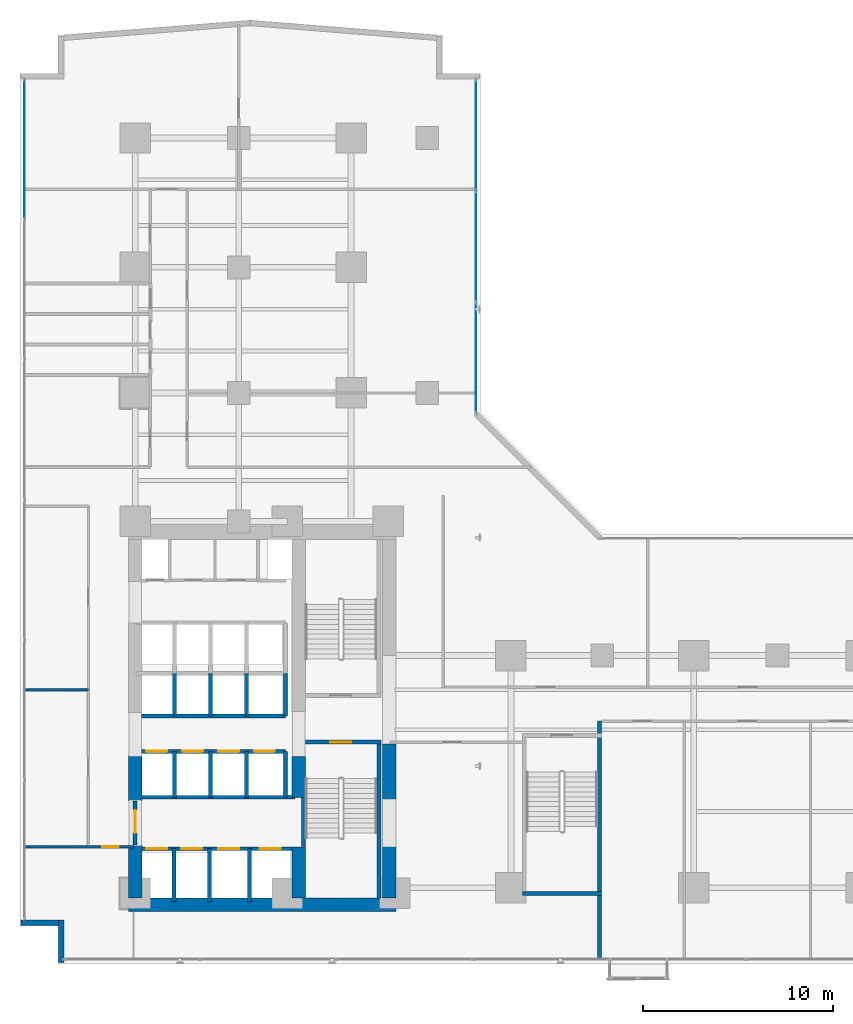
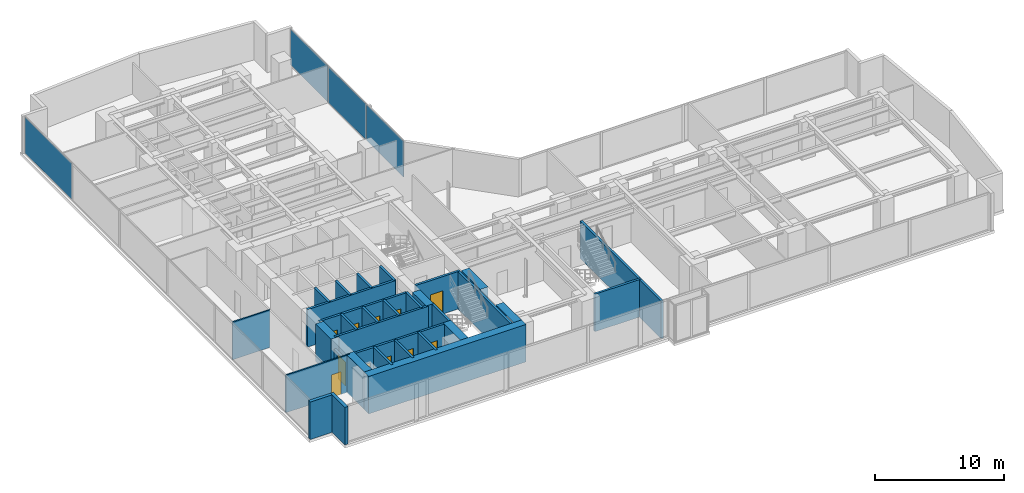
# One storey, part 23 of 31: 32 walls, 11 doors, 4 plates, 11 openings, 2 elements without a shape of their own.
"""IFC4 building model written with IfcOpenShell, lengths in metres."""

from ifc_helpers import new_model, si_unit, direction, frame, frame_2d, origin, origin_with_axes, origin_2d, place, context, subcontext, project, spatial, rectangle, extrude, source, transform, mapped, material, layer, layer_set, type_object, element, fill, aggregate, save


model = new_model("IFC4")

# Units and contexts
model_context = context("Model", 3, precision=1e-05, world=origin(), true_north=direction((0.0, 1.0)))
body_context = subcontext(model_context, "Body", "Model", "MODEL_VIEW")
ifc_project = project(units=[si_unit("LENGTHUNIT", "METRE"), si_unit("AREAUNIT", "SQUARE_METRE"), si_unit("VOLUMEUNIT", "CUBIC_METRE"), si_unit("PLANEANGLEUNIT", "RADIAN"), si_unit("MASSUNIT", "GRAM", prefix="KILO")], contexts=[model_context])

# Site, building, storey
site_placement = place(None, origin())
site = spatial("IfcSite", under=ifc_project, at=site_placement, CompositionType="ELEMENT")
building_placement = place(site_placement, origin())
building = spatial("IfcBuilding", under=site, at=building_placement, Name="Kolvaren Waterfront Exchange", CompositionType="ELEMENT")
storey_placement = place(building_placement, frame((0.0, 0.0, 67.60009765625)))
storey = spatial("IfcBuildingStorey", under=building, at=storey_placement, Name="L17", CompositionType="ELEMENT", Elevation=67.60009765625)

# Curtain wall, plate
ifc_material_1 = material(Name="Anodised aluminium 6063-T6", Category="aluminium")
ifc_layer_1 = layer(ifc_material_1, 0.219970703125, Name="Anodised aluminium 6063-T6")
ifc_layer_set_1 = layer_set([ifc_layer_1], Name="Anodised aluminium 6063-T6")
curtain_wall_type_1 = type_object("IfcCurtainWallType", Name="ARC-CW-SYS2", PredefinedType="USERDEFINED", material=ifc_layer_set_1)
curtain_wall_1_placement = place(storey_placement, origin())
curtain_wall_1 = element("IfcCurtainWall", 1, at=curtain_wall_1_placement, inside=storey, type_object=curtain_wall_type_1, Name="L17 stick curtain wall CW2 (CW-L17-W)", ObjectType="STICK CURTAIN WALL", PredefinedType="USERDEFINED")
ifc_material_2 = material(Name="Acoustic laminated vision glass", Category="glass")
ifc_layer_2 = layer(ifc_material_2, 0.031982421875, Name="Acoustic laminated vision glass")
ifc_layer_set_2 = layer_set([ifc_layer_2], Name="Acoustic laminated vision glass")
plate_type_1 = type_object("IfcPlateType", Name="ARC-CWP-32", PredefinedType="CURTAIN_PANEL", material=ifc_layer_set_2)
shared_shape_1 = source(origin_with_axes(), body_context, "Body", "SweptSolid", [
    extrude(rectangle(XDim=7.24658203125, YDim=0.031982421875, at=origin_2d()), origin(), (0.0, 0.0, 1.0), 3.389892578125),
])
plate_1_placement = place(storey_placement, frame((1.639892578125, 43.99658203125, 0.0751953125), z_axis=(0.0, 0.0, 1.0), x_axis=(0.0, 1.0, 0.0)))
plate_1 = element("IfcPlate", 2, at=plate_1_placement, type_object=plate_type_1, Name="CW2 panel 6.1", PredefinedType="CURTAIN_PANEL", context=body_context, shape_type="MappedRepresentation", body=[
    mapped(shared_shape_1, transform((0.0, 0.0, 0.0), x_axis=(1.0, 0.0, 0.0), y_axis=(0.0, 1.0, 0.0), z_axis=(0.0, 0.0, 1.0), scale=1.0)),
])
aggregate(curtain_wall_1, [plate_1])

# Curtain wall, plates
ifc_material_3 = material(Name="Anodised bronze aluminium 6063-T6", Category="aluminium")
ifc_layer_3 = layer(ifc_material_3, 0.219970703125, Name="Anodised bronze aluminium 6063-T6")
ifc_layer_set_3 = layer_set([ifc_layer_3], Name="Anodised bronze aluminium 6063-T6")
curtain_wall_type_2 = type_object("IfcCurtainWallType", Name="ARC-CW-SYS1", PredefinedType="USERDEFINED", material=ifc_layer_set_3)
curtain_wall_2_placement = place(storey_placement, origin())
curtain_wall_2 = element("IfcCurtainWall", 3, at=curtain_wall_2_placement, inside=storey, type_object=curtain_wall_type_2, Name="L17 stick curtain wall CW1 (CW-L17-NE)", ObjectType="STICK CURTAIN WALL", PredefinedType="USERDEFINED")
ifc_material_4 = material(Name="Bronze solar control vision glass", Category="aluminium")
ifc_layer_4 = layer(ifc_material_4, 0.028076171875, Name="Bronze solar control vision glass")
ifc_layer_set_4 = layer_set([ifc_layer_4], Name="Bronze solar control vision glass")
plate_type_2 = type_object("IfcPlateType", Name="ARC-CWP-28", PredefinedType="CURTAIN_PANEL", material=ifc_layer_set_4)
shared_shape_2 = source(origin_with_axes(), body_context, "Body", "SweptSolid", [
    extrude(rectangle(XDim=5.75, YDim=0.028076171875, at=origin_2d()), origin(), (0.0, 0.0, 1.0), 3.389892578125),
])
plate_2_placement = place(storey_placement, frame((25.360107421875, 33.044921875, 0.0751953125), z_axis=(0.0, 0.0, 1.0), x_axis=(0.0, 1.0, 0.0)))
plate_2 = element("IfcPlate", 4, at=plate_2_placement, type_object=plate_type_2, Name="CW1 panel 1.1", PredefinedType="CURTAIN_PANEL", context=body_context, shape_type="MappedRepresentation", body=[
    mapped(shared_shape_2, transform((0.0, 0.0, 0.0), x_axis=(1.0, 0.0, 0.0), y_axis=(0.0, 1.0, 0.0), z_axis=(0.0, 0.0, 1.0), scale=1.0)),
])
plate_3_placement = place(storey_placement, frame((25.360107421875, 44.7451171875, 0.0751953125), z_axis=(0.0, 0.0, 1.0), x_axis=(0.0, 1.0, 0.0)))
plate_3 = element("IfcPlate", 5, at=plate_3_placement, type_object=plate_type_2, Name="CW1 panel 3.1", PredefinedType="CURTAIN_PANEL", context=body_context, shape_type="MappedRepresentation", body=[
    mapped(shared_shape_2, transform((0.0, 0.0, 0.0), x_axis=(1.0, 0.0, 0.0), y_axis=(0.0, 1.0, 0.0), z_axis=(0.0, 0.0, 1.0), scale=1.0)),
])
shared_shape_3 = source(origin_with_axes(), body_context, "Body", "SweptSolid", [
    extrude(rectangle(XDim=5.7900390625, YDim=0.028076171875, at=origin_2d()), origin(), (0.0, 0.0, 1.0), 3.389892578125),
])
plate_4_placement = place(storey_placement, frame((25.360107421875, 38.89501953125, 0.0751953125), z_axis=(0.0, 0.0, 1.0), x_axis=(0.0, 1.0, 0.0)))
plate_4 = element("IfcPlate", 6, at=plate_4_placement, type_object=plate_type_2, Name="CW1 panel 2.1", PredefinedType="CURTAIN_PANEL", context=body_context, shape_type="MappedRepresentation", body=[
    mapped(shared_shape_3, transform((0.0, 0.0, 0.0), x_axis=(1.0, 0.0, 0.0), y_axis=(0.0, 1.0, 0.0), z_axis=(0.0, 0.0, 1.0), scale=1.0)),
])
aggregate(curtain_wall_2, [plate_2, plate_4, plate_3])

# Walls
ifc_material_5 = material(Name="Precast concrete C40/50", Category="concrete")
ifc_layer_5 = layer(ifc_material_5, 0.280029296875, Name="Precast concrete C40/50")
ifc_layer_set_5 = layer_set([ifc_layer_5], Name="Precast concrete C40/50")
wall_type_1 = type_object("IfcWallType", Name="ARC-EXT-TERR-280", PredefinedType="SOLIDWALL", material=ifc_layer_set_5)
wall_1_placement = place(storey_placement, frame((3.56005859375, 1.260009765625, 0.0), z_axis=(0.0, 0.0, 1.0), x_axis=(0.0, 1.0, 0.0)))
element("IfcWall", 7, at=wall_1_placement, inside=storey, type_object=wall_type_1, Name="L17 notched corner spandrel pier SW-A", PredefinedType="SOLIDWALL", context=body_context, shape_type="SweptSolid", body=[
    extrude(rectangle(XDim=2.239990234375, YDim=0.280029296875, at=frame_2d((1.1201171875, 0.0))), origin(), (0.0, 0.0, 1.0), 3.539794921875),
])
wall_2_placement = place(storey_placement, frame((1.4599609375, 3.360107421875, 0.0), z_axis=(0.0, 0.0, 1.0), x_axis=(1.0, 0.0, 0.0)))
element("IfcWall", 8, at=wall_2_placement, inside=storey, type_object=wall_type_1, Name="L17 notched corner spandrel pier SW-B", PredefinedType="SOLIDWALL", context=body_context, shape_type="SweptSolid", body=[
    extrude(rectangle(XDim=1.9599609375, YDim=0.280029296875, at=frame_2d((0.97998046875, 0.0))), origin(), (0.0, 0.0, 1.0), 3.539794921875),
])

# Wall, opening, door
ifc_layer_6 = layer(ifc_material_5, 0.199951171875, Name="Precast concrete C40/50")
ifc_layer_set_6 = layer_set([ifc_layer_6], Name="Precast concrete C40/50")
wall_type_2 = type_object("IfcWallType", Name="ARC-FIRE-200", PredefinedType="PARTITIONING", material=ifc_layer_set_6)
wall_3_placement = place(storey_placement, frame((16.39990234375, 12.85009765625, 0.0), z_axis=(0.0, 0.0, 1.0), x_axis=(1.0, 0.0, 0.0)))
wall_3 = element("IfcWall", 9, at=wall_3_placement, inside=storey, type_object=wall_type_2, Name="L17 interior wall PW-L17-ST1-THROAT-S", PredefinedType="PARTITIONING", context=body_context, shape_type="SweptSolid", body=[
    extrude(rectangle(XDim=3.960205078125, YDim=0.199951171875, at=frame_2d((1.97998046875, 0.0))), origin(), (0.0, 0.0, 1.0), 3.539794921875),
])
opening_1_placement = place(wall_3_placement, frame((1.3037109375, 0.0, 0.0)))
opening_1 = element("IfcOpeningElement", 10, at=opening_1_placement, cuts=wall_3, Name="Opening FD2", PredefinedType="OPENING", context=body_context, shape_type="SweptSolid", body=[
    extrude(rectangle(XDim=1.10009765625, YDim=2.199951171875, at=frame_2d((0.550048828125, 1.10009765625))), frame((0.0, 0.10986328125, 0.0), z_axis=(0.0, -1.0, 0.0), x_axis=(1.0, 0.0, 0.0)), (0.0, 0.0, 1.0), 0.219970703125),
])
ifc_material_6 = material(Name="Pressed steel smoke-seal fire door", Category="steel")
door_type_1 = type_object("IfcDoorType", Name="ARC-FD-1100", OperationType="NOTDEFINED", PredefinedType="DOOR", material=ifc_material_6)
door_1_placement = place(opening_1_placement, frame((1.10009765625, 0.0, 0.0), z_axis=(0.0, 0.0, 1.0), x_axis=(-1.0, 0.0, 0.0)))
door_1 = element("IfcDoor", 11, at=door_1_placement, inside=storey, type_object=door_type_1, Name="L17 door DR-L17-ST1-IN (FD2)", OperationType="SINGLE_SWING_LEFT", OverallHeight=2.199951171875, OverallWidth=1.10009765625, PredefinedType="DOOR", context=body_context, shape_type="SweptSolid", body=[
    extrude(rectangle(XDim=1.10009765625, YDim=2.199951171875, at=frame_2d((0.550048828125, 1.10009765625))), frame((0.0, 0.02490234375, 0.0), z_axis=(0.0, -1.0, 0.0), x_axis=(1.0, 0.0, 0.0)), (0.0, 0.0, 1.0), 0.050048828125),
])
fill(opening_1, door_1)

# Wall
wall_4_placement = place(storey_placement, frame((7.5, 9.949951171875, 0.0), z_axis=(0.0, 0.0, 1.0), x_axis=(1.0, 0.0, 0.0)))
element("IfcWall", 12, at=wall_4_placement, inside=storey, type_object=wall_type_2, Name="L17 interior wall PW-L17-FF-N", PredefinedType="PARTITIONING", context=body_context, shape_type="SweptSolid", body=[
    extrude(rectangle(XDim=8.35009765625, YDim=0.199951171875, at=frame_2d((4.175048828125, 0.0))), origin(), (0.0, 0.0, 1.0), 3.539794921875),
])

# Wall, opening, door
wall_5_placement = place(storey_placement, frame((7.449951171875, 7.449951171875, 0.0), z_axis=(0.0, 0.0, 1.0), x_axis=(0.0, 1.0, 0.0)))
wall_5 = element("IfcWall", 13, at=wall_5_placement, inside=storey, type_object=wall_type_2, Name="L17 interior wall PW-L17-FF-W-DOOR", PredefinedType="PARTITIONING", context=body_context, shape_type="SweptSolid", body=[
    extrude(rectangle(XDim=2.300048828125, YDim=0.199951171875, at=frame_2d((1.14990234375, 0.0))), origin(), (0.0, 0.0, 1.0), 2.52001953125),
])
opening_2_placement = place(wall_5_placement, frame((0.63330078125, 0.0, 0.0)))
opening_2 = element("IfcOpeningElement", 14, at=opening_2_placement, cuts=wall_5, Name="Opening FD3", PredefinedType="OPENING", context=body_context, shape_type="SweptSolid", body=[
    extrude(rectangle(XDim=1.199951171875, YDim=2.25, at=frame_2d((0.60009765625, 1.125))), frame((0.0, 0.10986328125, 0.0), z_axis=(0.0, -1.0, 0.0), x_axis=(1.0, 0.0, 0.0)), (0.0, 0.0, 1.0), 0.219970703125),
])
ifc_material_7 = material(Name="Pressed steel fire door", Category="steel")
door_type_2 = type_object("IfcDoorType", Name="ARC-FD-1200", OperationType="NOTDEFINED", PredefinedType="DOOR", material=ifc_material_7)
door_2_placement = place(opening_2_placement, frame((1.199951171875, 0.0, 0.0), z_axis=(0.0, 0.0, 1.0), x_axis=(-1.0, 0.0, 0.0)))
door_2 = element("IfcDoor", 15, at=door_2_placement, inside=storey, type_object=door_type_2, Name="L17 door DR-L17-FF-OUT (FD3)", OperationType="SINGLE_SWING_RIGHT", OverallHeight=2.25, OverallWidth=1.199951171875, PredefinedType="DOOR", context=body_context, shape_type="SweptSolid", body=[
    extrude(rectangle(XDim=1.199951171875, YDim=2.25, at=frame_2d((0.60009765625, 1.125))), frame((0.0, 0.02490234375, 0.0), z_axis=(0.0, -1.0, 0.0), x_axis=(1.0, 0.0, 0.0)), (0.0, 0.0, 1.0), 0.050048828125),
])
fill(opening_2, door_2)

ifc_material_8 = material(Name="Acoustic gypsum steel stud", Category="steel")
ifc_layer_7 = layer(ifc_material_8, 0.125, Name="Acoustic gypsum steel stud")
ifc_layer_set_7 = layer_set([ifc_layer_7], Name="Acoustic gypsum steel stud")
wall_type_3 = type_object("IfcWallType", Name="ARC-PART-125", PredefinedType="PARTITIONING", material=ifc_layer_set_7)
wall_6_placement = place(storey_placement, frame((1.639892578125, 7.35009765625, 0.0), z_axis=(0.0, 0.0, 1.0), x_axis=(1.0, 0.0, 0.0)))
wall_6 = element("IfcWall", 16, at=wall_6_placement, inside=storey, type_object=wall_type_3, Name="L17 interior wall PW-L17-SWC-N", PredefinedType="PARTITIONING", context=body_context, shape_type="SweptSolid", body=[
    extrude(rectangle(XDim=5.760009765625, YDim=0.125, at=frame_2d((2.8798828125, 0.0))), origin(), (0.0, 0.0, 1.0), 3.539794921875),
])
opening_3_placement = place(wall_6_placement, frame((4.086669921875, 0.0, 0.0)))
opening_3 = element("IfcOpeningElement", 17, at=opening_3_placement, cuts=wall_6, Name="Opening D01", PredefinedType="OPENING", context=body_context, shape_type="SweptSolid", body=[
    extrude(rectangle(XDim=0.85009765625, YDim=2.14990234375, at=frame_2d((0.425048828125, 1.074951171875))), frame((0.0, 0.072509765625, 0.0), z_axis=(0.0, -1.0, 0.0), x_axis=(1.0, 0.0, 0.0)), (0.0, 0.0, 1.0), 0.14501953125),
])
ifc_material_9 = material(Name="Oak veneer timber leaf", Category="wood")
door_type_3 = type_object("IfcDoorType", Name="ARC-DR-900", OperationType="NOTDEFINED", PredefinedType="DOOR", material=ifc_material_9)
door_3_placement = place(opening_3_placement, origin())
door_3 = element("IfcDoor", 18, at=door_3_placement, inside=storey, type_object=door_type_3, Name="L17 door DR-L17-SWC-D (D01)", OperationType="SINGLE_SWING_RIGHT", OverallHeight=2.14990234375, OverallWidth=0.85009765625, PredefinedType="DOOR", context=body_context, shape_type="SweptSolid", body=[
    extrude(rectangle(XDim=0.85009765625, YDim=2.14990234375, at=frame_2d((0.425048828125, 1.074951171875))), frame((0.0, 0.02490234375, 0.0), z_axis=(0.0, -1.0, 0.0), x_axis=(1.0, 0.0, 0.0)), (0.0, 0.0, 1.0), 0.050048828125),
])
fill(opening_3, door_3)

# Walls
wall_7_placement = place(storey_placement, frame((1.639892578125, 15.60009765625, 0.0), z_axis=(0.0, 0.0, 1.0), x_axis=(1.0, 0.0, 0.0)))
element("IfcWall", 19, at=wall_7_placement, inside=storey, type_object=wall_type_3, Name="L17 interior wall PW-L17-WFLANK-MID", PredefinedType="PARTITIONING", context=body_context, shape_type="SweptSolid", body=[
    extrude(rectangle(XDim=3.360107421875, YDim=0.125, at=frame_2d((1.68017578125, 0.0))), origin(), (0.0, 0.0, 1.0), 3.539794921875),
])
ifc_material_10 = material(Name="Concrete C40/50", Category="concrete")
ifc_layer_8 = layer(ifc_material_10, 0.199951171875, Name="Concrete C40/50")
ifc_layer_set_8 = layer_set([ifc_layer_8], Name="Concrete C40/50")
wall_type_4 = type_object("IfcWallType", Name="ARC-SHAFT-200", PredefinedType="PARTITIONING", material=ifc_layer_set_8)
wall_8_placement = place(storey_placement, frame((16.300048828125, 7.360107421875, 0.0), z_axis=(0.0, 0.0, 1.0), x_axis=(0.0, 1.0, 0.0)))
element("IfcWall", 20, at=wall_8_placement, inside=storey, type_object=wall_type_4, Name="L17 structural stairwell wall PW-L17-ST1-W", PredefinedType="SHEAR", context=body_context, shape_type="SweptSolid", body=[
    extrude(rectangle(XDim=2.579833984375, YDim=0.199951171875, at=frame_2d((1.2900390625, 0.0))), origin(), (0.0, 0.0, 1.0), 3.539794921875),
])
wall_9_placement = place(storey_placement, frame((20.260009765625, 4.659912109375, 0.0), z_axis=(0.0, 0.0, 1.0), x_axis=(0.0, 1.0, 0.0)))
element("IfcWall", 21, at=wall_9_placement, inside=storey, type_object=wall_type_4, Name="L17 structural stairwell wall PW-L17-ST1-E", PredefinedType="SHEAR", context=body_context, shape_type="SweptSolid", body=[
    extrude(rectangle(XDim=8.090087890625, YDim=0.199951171875, at=frame_2d((4.044921875, 0.0))), origin(), (0.0, 0.0, 1.0), 3.539794921875),
])
wall_10_placement = place(storey_placement, frame((31.860107421875, 1.43994140625, 0.0), z_axis=(0.0, 0.0, 1.0), x_axis=(0.0, 1.0, 0.0)))
element("IfcWall", 22, at=wall_10_placement, inside=storey, type_object=wall_type_4, Name="L17 structural stairwell wall PW-L17-ST3-E", PredefinedType="SHEAR", context=body_context, shape_type="SweptSolid", body=[
    extrude(rectangle(XDim=12.510009765625, YDim=0.199951171875, at=frame_2d((6.2548828125, 0.0))), origin(), (0.0, 0.0, 1.0), 3.539794921875),
])
wall_11_placement = place(storey_placement, frame((27.800048828125, 4.89990234375, 0.0), z_axis=(0.0, 0.0, 1.0), x_axis=(1.0, 0.0, 0.0)))
element("IfcWall", 23, at=wall_11_placement, inside=storey, type_object=wall_type_4, Name="L17 structural stairwell wall PW-L17-ST3-S", PredefinedType="SHEAR", context=body_context, shape_type="SweptSolid", body=[
    extrude(rectangle(XDim=4.159912109375, YDim=0.199951171875, at=frame_2d((2.080078125, 0.0))), origin(), (0.0, 0.0, 1.0), 3.539794921875),
])

# Wall, openings, doors
wall_12_placement = place(storey_placement, frame((7.5, 7.25, 0.0), z_axis=(0.0, 0.0, 1.0), x_axis=(1.0, 0.0, 0.0)))
wall_12 = element("IfcWall", 24, at=wall_12_placement, inside=storey, type_object=wall_type_4, Name="L17 interior wall PW-L17-FF-S", PredefinedType="PARTITIONING", context=body_context, shape_type="SweptSolid", body=[
    extrude(rectangle(XDim=8.35009765625, YDim=0.199951171875, at=frame_2d((4.175048828125, 0.0))), origin(), (0.0, 0.0, 1.0), 3.539794921875),
])
opening_4_placement = place(wall_12_placement, frame((0.530029296875, 0.0, 0.0)))
opening_4 = element("IfcOpeningElement", 25, at=opening_4_placement, cuts=wall_12, Name="Opening LD1", PredefinedType="OPENING", context=body_context, shape_type="SweptSolid", body=[
    extrude(rectangle(XDim=1.10009765625, YDim=2.199951171875, at=frame_2d((0.550048828125, 1.10009765625))), frame((0.0, 0.10986328125, 0.0), z_axis=(0.0, -1.0, 0.0), x_axis=(1.0, 0.0, 0.0)), (0.0, 0.0, 1.0), 0.219970703125),
])
opening_5_placement = place(wall_12_placement, frame((2.3701171875, 0.0, 0.0)))
opening_5 = element("IfcOpeningElement", 26, at=opening_5_placement, cuts=wall_12, Name="Opening LD1", PredefinedType="OPENING", context=body_context, shape_type="SweptSolid", body=[
    extrude(rectangle(XDim=1.10009765625, YDim=2.199951171875, at=frame_2d((0.550048828125, 1.10009765625))), frame((0.0, 0.10986328125, 0.0), z_axis=(0.0, -1.0, 0.0), x_axis=(1.0, 0.0, 0.0)), (0.0, 0.0, 1.0), 0.219970703125),
])
opening_6_placement = place(wall_12_placement, frame((4.330078125, 0.0, 0.0)))
opening_6 = element("IfcOpeningElement", 27, at=opening_6_placement, cuts=wall_12, Name="Opening LD1", PredefinedType="OPENING", context=body_context, shape_type="SweptSolid", body=[
    extrude(rectangle(XDim=1.10009765625, YDim=2.199951171875, at=frame_2d((0.550048828125, 1.10009765625))), frame((0.0, 0.10986328125, 0.0), z_axis=(0.0, -1.0, 0.0), x_axis=(1.0, 0.0, 0.0)), (0.0, 0.0, 1.0), 0.219970703125),
])
opening_7_placement = place(wall_12_placement, frame((6.5, 0.0, 0.0)))
opening_7 = element("IfcOpeningElement", 28, at=opening_7_placement, cuts=wall_12, Name="Opening LD1", PredefinedType="OPENING", context=body_context, shape_type="SweptSolid", body=[
    extrude(rectangle(XDim=1.10009765625, YDim=2.199951171875, at=frame_2d((0.550048828125, 1.10009765625))), frame((0.0, 0.10986328125, 0.0), z_axis=(0.0, -1.0, 0.0), x_axis=(1.0, 0.0, 0.0)), (0.0, 0.0, 1.0), 0.219970703125),
])
ifc_material_11 = material(Name="Stainless steel sliding landing door", Category="steel")
door_type_4 = type_object("IfcDoorType", Name="ARC-LD-FF", OperationType="SLIDING_TO_LEFT", PredefinedType="DOOR", material=ifc_material_11)
door_4_placement = place(opening_4_placement, origin())
door_4 = element("IfcDoor", 29, at=door_4_placement, inside=storey, type_object=door_type_4, Name="L17 door LD-L17-FFL1 (LD1)", OperationType="SLIDING_TO_LEFT", OverallHeight=2.199951171875, OverallWidth=1.10009765625, PredefinedType="DOOR", context=body_context, shape_type="SweptSolid", body=[
    extrude(rectangle(XDim=1.10009765625, YDim=2.199951171875, at=frame_2d((0.550048828125, 1.10009765625))), frame((0.0, 0.02490234375, 0.0), z_axis=(0.0, -1.0, 0.0), x_axis=(1.0, 0.0, 0.0)), (0.0, 0.0, 1.0), 0.050048828125),
])
fill(opening_4, door_4)
door_5_placement = place(opening_5_placement, origin())
door_5 = element("IfcDoor", 30, at=door_5_placement, inside=storey, type_object=door_type_4, Name="L17 door LD-L17-FFL2 (LD1)", OperationType="SLIDING_TO_LEFT", OverallHeight=2.199951171875, OverallWidth=1.10009765625, PredefinedType="DOOR", context=body_context, shape_type="SweptSolid", body=[
    extrude(rectangle(XDim=1.10009765625, YDim=2.199951171875, at=frame_2d((0.550048828125, 1.10009765625))), frame((0.0, 0.02490234375, 0.0), z_axis=(0.0, -1.0, 0.0), x_axis=(1.0, 0.0, 0.0)), (0.0, 0.0, 1.0), 0.050048828125),
])
fill(opening_5, door_5)
door_6_placement = place(opening_6_placement, origin())
door_6 = element("IfcDoor", 31, at=door_6_placement, inside=storey, type_object=door_type_4, Name="L17 door LD-L17-GL1 (LD1)", OperationType="SLIDING_TO_LEFT", OverallHeight=2.199951171875, OverallWidth=1.10009765625, PredefinedType="DOOR", context=body_context, shape_type="SweptSolid", body=[
    extrude(rectangle(XDim=1.10009765625, YDim=2.199951171875, at=frame_2d((0.550048828125, 1.10009765625))), frame((0.0, 0.02490234375, 0.0), z_axis=(0.0, -1.0, 0.0), x_axis=(1.0, 0.0, 0.0)), (0.0, 0.0, 1.0), 0.050048828125),
])
fill(opening_6, door_6)
door_7_placement = place(opening_7_placement, origin())
door_7 = element("IfcDoor", 32, at=door_7_placement, inside=storey, type_object=door_type_4, Name="L17 door LD-L17-GL2 (LD1)", OperationType="SLIDING_TO_LEFT", OverallHeight=2.199951171875, OverallWidth=1.10009765625, PredefinedType="DOOR", context=body_context, shape_type="SweptSolid", body=[
    extrude(rectangle(XDim=1.10009765625, YDim=2.199951171875, at=frame_2d((0.550048828125, 1.10009765625))), frame((0.0, 0.02490234375, 0.0), z_axis=(0.0, -1.0, 0.0), x_axis=(1.0, 0.0, 0.0)), (0.0, 0.0, 1.0), 0.050048828125),
])
fill(opening_7, door_7)

# Walls
for number, where, z_axis, x_axis, name in (
    (33, (9.5, 4.449951171875, 0.0), (0.0, 0.0, 1.0), (0.0, 1.0, 0.0), "L17 interior wall PW-L17-SH1-DIV-95"),
    (34, (11.360107421875, 4.449951171875, 0.0), (0.0, 0.0, 1.0), (0.0, 1.0, 0.0), "L17 interior wall PW-L17-SH1-DIV-113"),
    (35, (13.4599609375, 4.449951171875, 0.0), (0.0, 0.0, 1.0), (0.0, 1.0, 0.0), "L17 interior wall PW-L17-SH1-DIV-134"),
):
    element("IfcWall", number, at=place(storey_placement, frame(where, z_axis=z_axis, x_axis=x_axis)), inside=storey, type_object=wall_type_4, Name=name, PredefinedType="PARTITIONING", context=body_context, shape_type="SweptSolid", body=[
        extrude(rectangle(XDim=2.800048828125, YDim=0.199951171875, at=frame_2d((1.39990234375, 0.0))), origin(), (0.0, 0.0, 1.0), 3.539794921875),
    ])

# Wall, openings, doors
wall_13_placement = place(storey_placement, frame((7.5, 12.360107421875, 0.0), z_axis=(0.0, 0.0, 1.0), x_axis=(1.0, 0.0, 0.0)))
wall_13 = element("IfcWall", 36, at=wall_13_placement, inside=storey, type_object=wall_type_4, Name="L17 interior wall PW-L17-PL-N", PredefinedType="PARTITIONING", context=body_context, shape_type="SweptSolid", body=[
    extrude(rectangle(XDim=7.85009765625, YDim=0.199951171875, at=frame_2d((3.925048828125, 0.0))), origin(), (0.0, 0.0, 1.0), 3.539794921875),
])
opening_8_placement = place(wall_13_placement, frame((0.530029296875, 0.0, 0.0)))
opening_8 = element("IfcOpeningElement", 37, at=opening_8_placement, cuts=wall_13, Name="Opening LD2", PredefinedType="OPENING", context=body_context, shape_type="SweptSolid", body=[
    extrude(rectangle(XDim=1.10009765625, YDim=2.199951171875, at=frame_2d((0.550048828125, 1.10009765625))), frame((0.0, 0.10986328125, 0.0), z_axis=(0.0, -1.0, 0.0), x_axis=(1.0, 0.0, 0.0)), (0.0, 0.0, 1.0), 0.219970703125),
])
opening_9_placement = place(wall_13_placement, frame((2.419921875, 0.0, 0.0)))
opening_9 = element("IfcOpeningElement", 38, at=opening_9_placement, cuts=wall_13, Name="Opening LD2", PredefinedType="OPENING", context=body_context, shape_type="SweptSolid", body=[
    extrude(rectangle(XDim=1.10009765625, YDim=2.199951171875, at=frame_2d((0.550048828125, 1.10009765625))), frame((0.0, 0.10986328125, 0.0), z_axis=(0.0, -1.0, 0.0), x_axis=(1.0, 0.0, 0.0)), (0.0, 0.0, 1.0), 0.219970703125),
])
opening_10_placement = place(wall_13_placement, frame((4.31005859375, 0.0, 0.0)))
opening_10 = element("IfcOpeningElement", 39, at=opening_10_placement, cuts=wall_13, Name="Opening LD2", PredefinedType="OPENING", context=body_context, shape_type="SweptSolid", body=[
    extrude(rectangle(XDim=1.10009765625, YDim=2.199951171875, at=frame_2d((0.550048828125, 1.10009765625))), frame((0.0, 0.10986328125, 0.0), z_axis=(0.0, -1.0, 0.0), x_axis=(1.0, 0.0, 0.0)), (0.0, 0.0, 1.0), 0.219970703125),
])
opening_11_placement = place(wall_13_placement, frame((6.199951171875, 0.0, 0.0)))
opening_11 = element("IfcOpeningElement", 40, at=opening_11_placement, cuts=wall_13, Name="Opening LD2", PredefinedType="OPENING", context=body_context, shape_type="SweptSolid", body=[
    extrude(rectangle(XDim=1.10009765625, YDim=2.199951171875, at=frame_2d((0.550048828125, 1.10009765625))), frame((0.0, 0.10986328125, 0.0), z_axis=(0.0, -1.0, 0.0), x_axis=(1.0, 0.0, 0.0)), (0.0, 0.0, 1.0), 0.219970703125),
])
ifc_material_12 = material(Name="Brushed bronze sliding landing door", Category="aluminium")
door_type_5 = type_object("IfcDoorType", Name="ARC-LD-PAX", OperationType="SLIDING_TO_LEFT", PredefinedType="DOOR", material=ifc_material_12)
door_8_placement = place(opening_8_placement, origin())
door_8 = element("IfcDoor", 41, at=door_8_placement, inside=storey, type_object=door_type_5, Name="L17 door LD-L17-PL1 (LD2)", OperationType="SLIDING_TO_LEFT", OverallHeight=2.199951171875, OverallWidth=1.10009765625, PredefinedType="DOOR", context=body_context, shape_type="SweptSolid", body=[
    extrude(rectangle(XDim=1.10009765625, YDim=2.199951171875, at=frame_2d((0.550048828125, 1.10009765625))), frame((0.0, 0.02490234375, 0.0), z_axis=(0.0, -1.0, 0.0), x_axis=(1.0, 0.0, 0.0)), (0.0, 0.0, 1.0), 0.050048828125),
])
fill(opening_8, door_8)
door_9_placement = place(opening_9_placement, origin())
door_9 = element("IfcDoor", 42, at=door_9_placement, inside=storey, type_object=door_type_5, Name="L17 door LD-L17-PL2 (LD2)", OperationType="SLIDING_TO_LEFT", OverallHeight=2.199951171875, OverallWidth=1.10009765625, PredefinedType="DOOR", context=body_context, shape_type="SweptSolid", body=[
    extrude(rectangle(XDim=1.10009765625, YDim=2.199951171875, at=frame_2d((0.550048828125, 1.10009765625))), frame((0.0, 0.02490234375, 0.0), z_axis=(0.0, -1.0, 0.0), x_axis=(1.0, 0.0, 0.0)), (0.0, 0.0, 1.0), 0.050048828125),
])
fill(opening_9, door_9)
door_10_placement = place(opening_10_placement, origin())
door_10 = element("IfcDoor", 43, at=door_10_placement, inside=storey, type_object=door_type_5, Name="L17 door LD-L17-PL3 (LD2)", OperationType="SLIDING_TO_LEFT", OverallHeight=2.199951171875, OverallWidth=1.10009765625, PredefinedType="DOOR", context=body_context, shape_type="SweptSolid", body=[
    extrude(rectangle(XDim=1.10009765625, YDim=2.199951171875, at=frame_2d((0.550048828125, 1.10009765625))), frame((0.0, 0.02490234375, 0.0), z_axis=(0.0, -1.0, 0.0), x_axis=(1.0, 0.0, 0.0)), (0.0, 0.0, 1.0), 0.050048828125),
])
fill(opening_10, door_10)
door_11_placement = place(opening_11_placement, origin())
door_11 = element("IfcDoor", 44, at=door_11_placement, inside=storey, type_object=door_type_5, Name="L17 door LD-L17-PL4 (LD2)", OperationType="SLIDING_TO_LEFT", OverallHeight=2.199951171875, OverallWidth=1.10009765625, PredefinedType="DOOR", context=body_context, shape_type="SweptSolid", body=[
    extrude(rectangle(XDim=1.10009765625, YDim=2.199951171875, at=frame_2d((0.550048828125, 1.10009765625))), frame((0.0, 0.02490234375, 0.0), z_axis=(0.0, -1.0, 0.0), x_axis=(1.0, 0.0, 0.0)), (0.0, 0.0, 1.0), 0.050048828125),
])
fill(opening_11, door_11)

# Walls
for number, where, z_axis, x_axis, name in (
    (45, (15.35009765625, 9.949951171875, 0.0), (0.0, 0.0, 1.0), (0.0, 1.0, 0.0), "L17 interior wall PW-L17-PL-E"),
    (46, (9.52001953125, 9.949951171875, 0.0), (0.0, 0.0, 1.0), (0.0, 1.0, 0.0), "L17 interior wall PW-L17-SH2-DIV-95"),
    (47, (11.409912109375, 9.949951171875, 0.0), (0.0, 0.0, 1.0), (0.0, 1.0, 0.0), "L17 interior wall PW-L17-SH2-DIV-114"),
    (48, (13.300048828125, 9.949951171875, 0.0), (0.0, 0.0, 1.0), (0.0, 1.0, 0.0), "L17 interior wall PW-L17-SH2-DIV-133"),
):
    element("IfcWall", number, at=place(storey_placement, frame(where, z_axis=z_axis, x_axis=x_axis)), inside=storey, type_object=wall_type_4, Name=name, PredefinedType="PARTITIONING", context=body_context, shape_type="SweptSolid", body=[
        extrude(rectangle(XDim=2.41015625, YDim=0.199951171875, at=frame_2d((1.205078125, 0.0))), origin(), (0.0, 0.0, 1.0), 3.539794921875),
    ])
wall_14_placement = place(storey_placement, frame((7.5, 14.219970703125, 0.0), z_axis=(0.0, 0.0, 1.0), x_axis=(1.0, 0.0, 0.0)))
element("IfcWall", 49, at=wall_14_placement, inside=storey, type_object=wall_type_4, Name="L17 interior wall PW-L17-PM-S", PredefinedType="PARTITIONING", context=body_context, shape_type="SweptSolid", body=[
    extrude(rectangle(XDim=7.85009765625, YDim=0.199951171875, at=frame_2d((3.925048828125, 0.0))), origin(), (0.0, 0.0, 1.0), 3.539794921875),
])
for number, where, z_axis, x_axis, name in (
    (50, (15.35009765625, 14.219970703125, 0.0), (0.0, 0.0, 1.0), (0.0, 1.0, 0.0), "L17 interior wall PW-L17-PM-E"),
    (51, (9.52001953125, 14.219970703125, 0.0), (0.0, 0.0, 1.0), (0.0, 1.0, 0.0), "L17 interior wall PW-L17-SH3-DIV-95"),
    (52, (11.409912109375, 14.219970703125, 0.0), (0.0, 0.0, 1.0), (0.0, 1.0, 0.0), "L17 interior wall PW-L17-SH3-DIV-114"),
    (53, (13.300048828125, 14.219970703125, 0.0), (0.0, 0.0, 1.0), (0.0, 1.0, 0.0), "L17 interior wall PW-L17-SH3-DIV-133"),
):
    element("IfcWall", number, at=place(storey_placement, frame(where, z_axis=z_axis, x_axis=x_axis)), inside=storey, type_object=wall_type_4, Name=name, PredefinedType="PARTITIONING", context=body_context, shape_type="SweptSolid", body=[
        extrude(rectangle(XDim=2.22998046875, YDim=0.199951171875, at=frame_2d((1.114990234375, 0.0))), origin(), (0.0, 0.0, 1.0), 3.539794921875),
    ])
ifc_material_13 = material(Name="Concrete C70/85", Category="concrete")
ifc_layer_9 = layer(ifc_material_13, 0.699951171875, Name="Concrete C70/85")
ifc_layer_set_9 = layer_set([ifc_layer_9], Name="Concrete C70/85")
wall_type_5 = type_object("IfcWallType", Name="STR-CWALL-700", PredefinedType="SHEAR", material=ifc_layer_set_9)
wall_15_placement = place(storey_placement, frame((7.10009765625, 4.300048828125, 0.0), z_axis=(0.0, 0.0, 1.0), x_axis=(1.0, 0.0, 0.0)))
element("IfcWall", 54, at=wall_15_placement, inside=storey, type_object=wall_type_5, Name="L17 rear-core shear wall S", PredefinedType="SHEAR", context=body_context, shape_type="SweptSolid", body=[
    extrude(rectangle(XDim=14.0498046875, YDim=0.699951171875, at=frame_2d((7.02490234375, 0.0))), origin(), (0.0, 0.0, 1.0), 3.539794921875),
])
wall_16_placement = place(storey_placement, frame((7.449951171875, 4.64990234375, 0.0), z_axis=(0.0, 0.0, 1.0), x_axis=(0.0, 1.0, 0.0)))
element("IfcWall", 55, at=wall_16_placement, inside=storey, type_object=wall_type_5, Name="L17 rear-core shear wall W1", PredefinedType="SHEAR", context=body_context, shape_type="SweptSolid", body=[
    extrude(rectangle(XDim=2.800048828125, YDim=0.699951171875, at=frame_2d((1.39990234375, 0.0))), origin(), (0.0, 0.0, 1.0), 3.539794921875),
])
wall_17_placement = place(storey_placement, frame((7.449951171875, 9.75, 0.0), z_axis=(0.0, 0.0, 1.0), x_axis=(0.0, 1.0, 0.0)))
element("IfcWall", 56, at=wall_17_placement, inside=storey, type_object=wall_type_5, Name="L17 rear-core shear wall W2A", PredefinedType="SHEAR", context=body_context, shape_type="SweptSolid", body=[
    extrude(rectangle(XDim=2.39990234375, YDim=0.699951171875, at=frame_2d((1.199951171875, 0.0))), origin(), (0.0, 0.0, 1.0), 3.539794921875),
])
wall_18_placement = place(storey_placement, frame((20.800048828125, 4.64990234375, 0.0), z_axis=(0.0, 0.0, 1.0), x_axis=(0.0, 1.0, 0.0)))
element("IfcWall", 57, at=wall_18_placement, inside=storey, type_object=wall_type_5, Name="L17 rear-core shear wall E1", PredefinedType="SHEAR", context=body_context, shape_type="SweptSolid", body=[
    extrude(rectangle(XDim=2.75, YDim=0.699951171875, at=frame_2d((1.375, 0.0))), origin(), (0.0, 0.0, 1.0), 3.539794921875),
])
wall_19_placement = place(storey_placement, frame((20.800048828125, 9.800048828125, 0.0), z_axis=(0.0, 0.0, 1.0), x_axis=(0.0, 1.0, 0.0)))
element("IfcWall", 58, at=wall_19_placement, inside=storey, type_object=wall_type_5, Name="L17 rear-core shear wall E2", PredefinedType="SHEAR", context=body_context, shape_type="SweptSolid", body=[
    extrude(rectangle(XDim=2.949951171875, YDim=0.699951171875, at=frame_2d((1.47509765625, 0.0))), origin(), (0.0, 0.0, 1.0), 3.539794921875),
])
wall_20_placement = place(storey_placement, frame((16.050048828125, 4.64990234375, 0.0), z_axis=(0.0, 0.0, 1.0), x_axis=(0.0, 1.0, 0.0)))
element("IfcWall", 59, at=wall_20_placement, inside=storey, type_object=wall_type_5, Name="L17 rear-core shear wall M1", PredefinedType="SHEAR", context=body_context, shape_type="SweptSolid", body=[
    extrude(rectangle(XDim=2.7001953125, YDim=0.699951171875, at=frame_2d((1.35009765625, 0.0))), origin(), (0.0, 0.0, 1.0), 3.539794921875),
])
wall_21_placement = place(storey_placement, frame((16.050048828125, 9.949951171875, 0.0), z_axis=(0.0, 0.0, 1.0), x_axis=(0.0, 1.0, 0.0)))
element("IfcWall", 60, at=wall_21_placement, inside=storey, type_object=wall_type_5, Name="L17 rear-core shear wall M2", PredefinedType="SHEAR", context=body_context, shape_type="SweptSolid", body=[
    extrude(rectangle(XDim=2.150146484375, YDim=0.699951171875, at=frame_2d((1.0751953125, 0.0))), origin(), (0.0, 0.0, 1.0), 3.539794921875),
])

save(model, "model.ifc")
